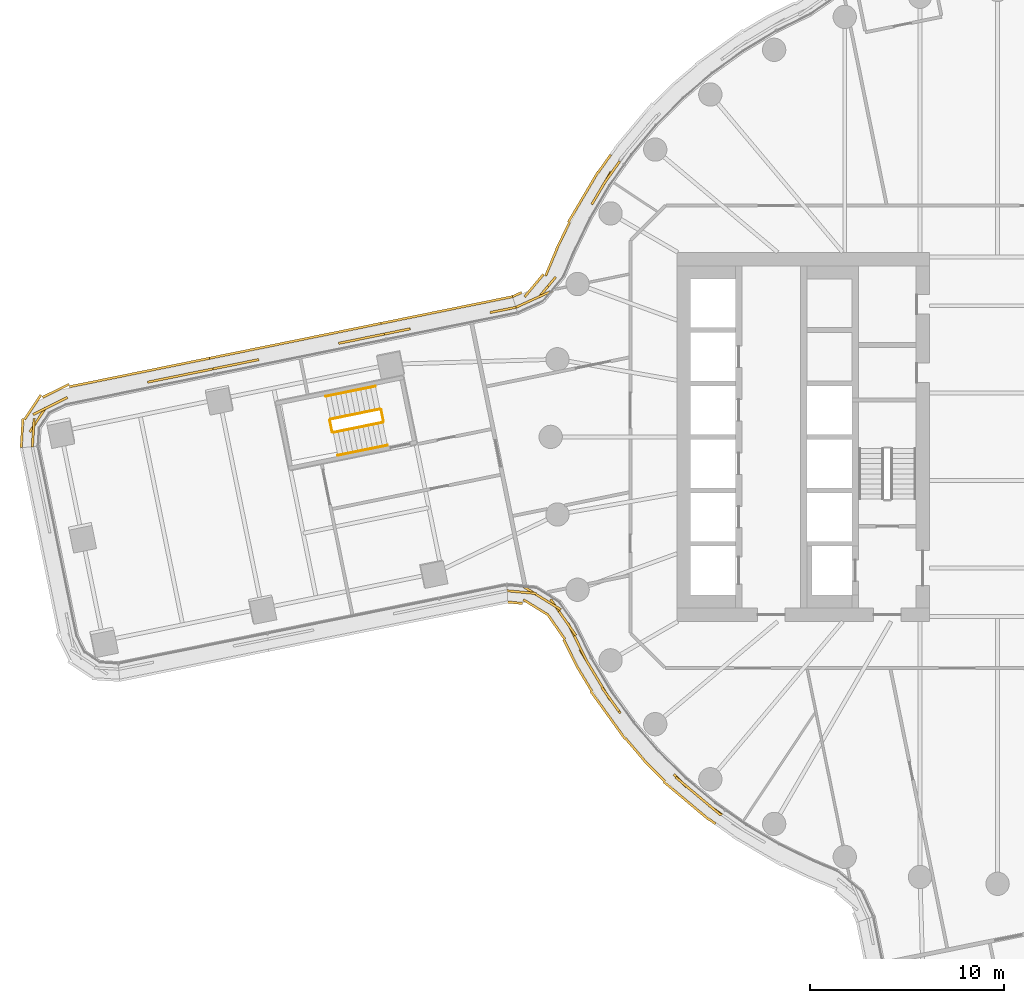
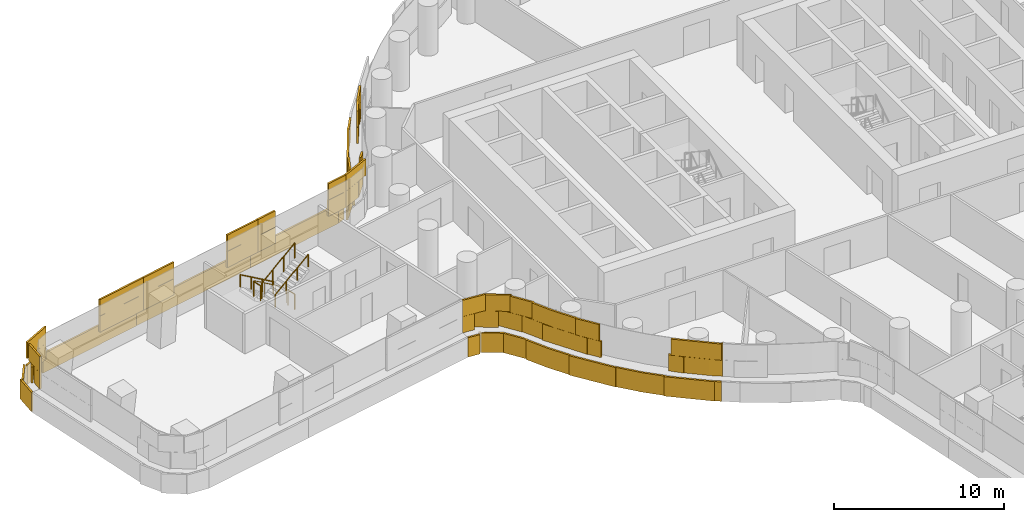
# One storey, part 26 of 31: 6 railings, 5 coverings.
"""IFC4 building model written with IfcOpenShell, lengths in metres."""

from ifc_helpers import new_model, si_unit, direction, frame, origin, origin_2d, place, context, subcontext, project, spatial, rectangle, circle, extrude, material, layer, layer_set, type_object, element, save


model = new_model("IFC4")

# Units and contexts
model_context = context("Model", 3, precision=1e-05, world=origin(), true_north=direction((0.0, 1.0)))
body_context = subcontext(model_context, "Body", "Model", "MODEL_VIEW")
ifc_project = project(units=[si_unit("LENGTHUNIT", "METRE"), si_unit("AREAUNIT", "SQUARE_METRE"), si_unit("VOLUMEUNIT", "CUBIC_METRE"), si_unit("PLANEANGLEUNIT", "RADIAN"), si_unit("MASSUNIT", "GRAM", prefix="KILO")], contexts=[model_context])

# Site, building, storey
site_placement = place(None, origin())
site = spatial("IfcSite", under=ifc_project, at=site_placement, CompositionType="ELEMENT")
building_placement = place(site_placement, origin())
building = spatial("IfcBuilding", under=site, at=building_placement, Name="Tamarind Cross Interchange Tower", CompositionType="ELEMENT")
storey_placement = place(building_placement, frame((0.0, 0.0, 75.25)))
storey = spatial("IfcBuildingStorey", under=building, at=storey_placement, Name="L17", CompositionType="ELEMENT", Elevation=75.25)

# Railings
ifc_material_1 = material(Name="Stair guard")
railing_type_1 = type_object("IfcRailingType", Name="Stair guard", PredefinedType="GUARDRAIL", material=ifc_material_1)
railing_1_placement = place(storey_placement, frame((-31.781005859375, 1.429931640625, 0.17041015625)))
element("IfcRailing", 1, at=railing_1_placement, inside=storey, type_object=railing_type_1, Name="L17 ST5 stair guard 1", PredefinedType="GUARDRAIL", context=body_context, shape_type="SweptSolid", body=[
    extrude(circle(Radius=0.02392578125, at=origin_2d()), frame((0.0, 0.0, 1.076171875), z_axis=(-0.819521697612, -0.166637125559, 0.548284830656), x_axis=(0.199257188689, -0.979947229577, 0.0)), (0.0, 0.0, 1.0), 3.10888671875),
    extrude(circle(Radius=0.02099609375, at=origin_2d()), origin(), (0.0, 0.0, 1.0), 1.052001953125),
    extrude(circle(Radius=0.02099609375, at=origin_2d()), frame((-0.849365234375, -0.172607421875, 0.568115234375)), (0.0, 0.0, 1.0), 1.052001953125),
    extrude(circle(Radius=0.02099609375, at=origin_2d()), frame((-1.698486328125, -0.345458984375, 1.136474609375)), (0.0, 0.0, 1.0), 1.052001953125),
    extrude(circle(Radius=0.02099609375, at=origin_2d()), frame((-2.5478515625, -0.51806640625, 1.70458984375)), (0.0, 0.0, 1.0), 1.052001953125),
])
railing_2_placement = place(storey_placement, frame((-34.367919921875, 0.852783203125, 1.875)))
element("IfcRailing", 2, at=railing_2_placement, inside=storey, type_object=railing_type_1, Name="L17 ST5 stair guard 2", PredefinedType="GUARDRAIL", context=body_context, shape_type="SweptSolid", body=[
    extrude(circle(Radius=0.02392578125, at=origin_2d()), frame((0.0, 0.0, 1.076171875), z_axis=(0.199401877541, -0.979917798202, 0.0), x_axis=(0.979917798202, 0.199401877541, 0.0)), (0.0, 0.0, 1.0), 0.599853515625),
    extrude(circle(Radius=0.02099609375, at=origin_2d()), origin(), (0.0, 0.0, 1.0), 1.052001953125),
    extrude(circle(Radius=0.02099609375, at=origin_2d()), frame((0.11962890625, -0.587890625, 0.0)), (0.0, 0.0, 1.0), 1.052001953125),
])
railing_3_placement = place(storey_placement, frame((-34.189453125, 0.225830078125, 2.04541015625)))
element("IfcRailing", 3, at=railing_3_placement, inside=storey, type_object=railing_type_1, Name="L17 ST5 stair guard 3", PredefinedType="GUARDRAIL", context=body_context, shape_type="SweptSolid", body=[
    extrude(circle(Radius=0.02392578125, at=origin_2d()), frame((0.0, 0.0, 1.076171875), z_axis=(0.819521697612, 0.166637125559, 0.548284830656), x_axis=(-0.199257188689, 0.979947229577, 0.0)), (0.0, 0.0, 1.0), 3.10888671875),
    extrude(circle(Radius=0.02099609375, at=origin_2d()), origin(), (0.0, 0.0, 1.0), 1.052001953125),
    extrude(circle(Radius=0.02099609375, at=origin_2d()), frame((0.849365234375, 0.172607421875, 0.568115234375)), (0.0, 0.0, 1.0), 1.052001953125),
    extrude(circle(Radius=0.02099609375, at=origin_2d()), frame((1.698486328125, 0.345458984375, 1.136474609375)), (0.0, 0.0, 1.0), 1.052001953125),
    extrude(circle(Radius=0.02099609375, at=origin_2d()), frame((2.5478515625, 0.51806640625, 1.70458984375)), (0.0, 0.0, 1.0), 1.052001953125),
])
railing_4_placement = place(storey_placement, frame((-31.721923828125, 1.390869140625, 0.0)))
element("IfcRailing", 4, at=railing_4_placement, inside=storey, type_object=railing_type_1, Name="L17 ST5 stair guard 4", PredefinedType="GUARDRAIL", context=body_context, shape_type="SweptSolid", body=[
    extrude(circle(Radius=0.02392578125, at=origin_2d()), frame((0.0, 0.0, 1.076171875), z_axis=(0.198931726306, -0.980013351067, 0.0), x_axis=(0.980013351067, 0.198931726306, 0.0)), (0.0, 0.0, 1.0), 0.60009765625),
    extrude(circle(Radius=0.02099609375, at=origin_2d()), origin(), (0.0, 0.0, 1.0), 1.052001953125),
    extrude(circle(Radius=0.02099609375, at=origin_2d()), frame((0.119384765625, -0.588134765625, 0.0)), (0.0, 0.0, 1.0), 1.052001953125),
])
ifc_material_2 = material(Name="Stair handrail")
railing_type_2 = type_object("IfcRailingType", Name="Stair handrail", PredefinedType="HANDRAIL", material=ifc_material_2)
railing_5_placement = place(storey_placement, frame((-32.02001953125, 2.605712890625, 0.17041015625)))
element("IfcRailing", 5, at=railing_5_placement, inside=storey, type_object=railing_type_2, Name="L17 ST5 stair handrail 1", PredefinedType="HANDRAIL", context=body_context, shape_type="SweptSolid", body=[
    extrude(circle(Radius=0.02392578125, at=origin_2d()), frame((0.0, 0.0, 0.8759765625), z_axis=(-0.819521697612, -0.166637125559, 0.548284830656), x_axis=(0.199257188689, -0.979947229577, 0.0)), (0.0, 0.0, 1.0), 3.10888671875),
    extrude(circle(Radius=0.02099609375, at=origin_2d()), origin(), (0.0, 0.0, 1.0), 0.851806640625),
    extrude(circle(Radius=0.02099609375, at=origin_2d()), frame((-0.849365234375, -0.172607421875, 0.568115234375)), (0.0, 0.0, 1.0), 0.851806640625),
    extrude(circle(Radius=0.02099609375, at=origin_2d()), frame((-1.698486328125, -0.345458984375, 1.136474609375)), (0.0, 0.0, 1.0), 0.851806640625),
    extrude(circle(Radius=0.02099609375, at=origin_2d()), frame((-2.5478515625, -0.51806640625, 1.70458984375)), (0.0, 0.0, 1.0), 0.851806640625),
])
railing_6_placement = place(storey_placement, frame((-33.9501953125, -0.9501953125, 2.04541015625)))
element("IfcRailing", 6, at=railing_6_placement, inside=storey, type_object=railing_type_2, Name="L17 ST5 stair handrail 2", PredefinedType="HANDRAIL", context=body_context, shape_type="SweptSolid", body=[
    extrude(circle(Radius=0.02392578125, at=origin_2d()), frame((0.0, 0.0, 0.8759765625), z_axis=(0.819521697612, 0.166637125559, 0.548284830656), x_axis=(-0.199257188689, 0.979947229577, 0.0)), (0.0, 0.0, 1.0), 3.10888671875),
    extrude(circle(Radius=0.02099609375, at=origin_2d()), origin(), (0.0, 0.0, 1.0), 0.851806640625),
    extrude(circle(Radius=0.02099609375, at=origin_2d()), frame((0.849365234375, 0.172607421875, 0.568115234375)), (0.0, 0.0, 1.0), 0.851806640625),
    extrude(circle(Radius=0.02099609375, at=origin_2d()), frame((1.698486328125, 0.345458984375, 1.136474609375)), (0.0, 0.0, 1.0), 0.851806640625),
    extrude(circle(Radius=0.02099609375, at=origin_2d()), frame((2.5478515625, 0.51806640625, 1.70458984375)), (0.0, 0.0, 1.0), 0.851806640625),
])

# Coverings
ifc_material_3 = material(Name="Terracotta", Category="masonry")
ifc_layer = layer(ifc_material_3, 0.1201171875)
ifc_layer_set = layer_set([ifc_layer], Name="Terracotta")
covering_type = type_object("IfcCoveringType", Name="Terracotta baguette screen unit", PredefinedType="MOLDING", material=ifc_layer_set)
covering_1_placement = place(storey_placement, origin())
element("IfcCovering", 7, at=covering_1_placement, inside=storey, type_object=covering_type, Name="SCR-L17-02-00", PredefinedType="MOLDING", context=body_context, shape_type="SweptSolid", body=[
    extrude(rectangle(XDim=0.760009765625, YDim=0.1201171875, at=origin_2d()), frame((-24.86474609375, -7.954833984375, 1.404052734375), z_axis=(0.0, 0.0, 1.0), x_axis=(0.995510302674, -0.094653247542, 0.0)), (0.0, 0.0, 1.0), 1.1669921875),
    extrude(rectangle(XDim=1.52001953125, YDim=0.1201171875, at=origin_2d()), frame((-23.75830078125, -8.1015625, 1.404052734375), z_axis=(0.0, 0.0, 1.0), x_axis=(0.850745711024, -0.525577525371, 0.0)), (0.0, 0.0, 1.0), 1.1669921875),
    extrude(rectangle(XDim=1.52001953125, YDim=0.1201171875, at=origin_2d()), frame((-22.567626953125, -8.980224609375, 1.404052734375), z_axis=(0.0, 0.0, 1.0), x_axis=(0.571495690015, -0.820605067188, 0.0)), (0.0, 0.0, 1.0), 1.1669921875),
    extrude(rectangle(XDim=1.52001953125, YDim=0.1201171875, at=origin_2d()), frame((-21.77783203125, -10.2509765625, 1.404052734375), z_axis=(0.0, 0.0, 1.0), x_axis=(0.443058811505, -0.896492548518, 0.0)), (0.0, 0.0, 1.0), 1.1669921875),
    extrude(rectangle(XDim=1.52001953125, YDim=0.1201171875, at=origin_2d()), frame((-21.10986328125, -11.59375, 1.404052734375), z_axis=(0.0, 0.0, 1.0), x_axis=(0.515577308909, -0.856843065292, 0.0)), (0.0, 0.0, 1.0), 1.1669921875),
    extrude(rectangle(XDim=1.52001953125, YDim=0.1201171875, at=origin_2d()), frame((-20.336669921875, -12.879150390625, 1.404052734375), z_axis=(0.0, 0.0, 1.0), x_axis=(0.515577308909, -0.856843065292, 0.0)), (0.0, 0.0, 1.0), 1.1669921875),
    extrude(rectangle(XDim=0.885498046875, YDim=0.1201171875, at=origin_2d()), frame((-19.6728515625, -13.863037109375, 1.404052734375), z_axis=(0.0, 0.0, 1.0), x_axis=(0.584573890505, -0.811340475102, 0.0)), (0.0, 0.0, 1.0), 1.1669921875),
    extrude(rectangle(XDim=0.934326171875, YDim=0.1201171875, at=origin_2d()), frame((-16.32861328125, -17.69970703125, 1.404052734375), z_axis=(0.0, 0.0, 1.0), x_axis=(0.710143317658, -0.704057148523, 0.0)), (0.0, 0.0, 1.0), 1.1669921875),
    extrude(rectangle(XDim=1.52001953125, YDim=0.1201171875, at=origin_2d()), frame((-15.4072265625, -18.487060546875, 1.404052734375), z_axis=(0.0, 0.0, 1.0), x_axis=(0.765858396687, -0.643009266048, 0.0)), (0.0, 0.0, 1.0), 1.1669921875),
    extrude(rectangle(XDim=0.822265625, YDim=0.1201171875, at=origin_2d()), frame((-14.50927734375, -19.214111328125, 1.404052734375), z_axis=(0.0, 0.0, 1.0), x_axis=(0.816341886298, -0.577568978284, 0.0)), (0.0, 0.0, 1.0), 1.1669921875),
    extrude(rectangle(XDim=1.510009765625, YDim=0.1201171875, at=origin_2d()), frame((-24.491455078125, -7.990234375, 2.5791015625), z_axis=(0.0, 0.0, 1.0), x_axis=(0.995510302674, -0.094653247542, 0.0)), (0.0, 0.0, 1.0), 1.1669921875),
    extrude(rectangle(XDim=1.52001953125, YDim=0.1201171875, at=origin_2d()), frame((-23.120361328125, -8.495849609375, 2.5791015625), z_axis=(0.0, 0.0, 1.0), x_axis=(0.850745711024, -0.525577525371, 0.0)), (0.0, 0.0, 1.0), 1.1669921875),
    extrude(rectangle(XDim=1.52001953125, YDim=0.1201171875, at=origin_2d()), frame((-22.138916015625, -9.595458984375, 2.5791015625), z_axis=(0.0, 0.0, 1.0), x_axis=(0.571495690015, -0.820605067188, 0.0)), (0.0, 0.0, 1.0), 1.1669921875),
    extrude(rectangle(XDim=1.52001953125, YDim=0.1201171875, at=origin_2d()), frame((-21.445556640625, -10.92333984375, 2.5791015625), z_axis=(0.0, 0.0, 1.0), x_axis=(0.443058811505, -0.896492548518, 0.0)), (0.0, 0.0, 1.0), 1.1669921875),
    extrude(rectangle(XDim=1.52001953125, YDim=0.1201171875, at=origin_2d()), frame((-20.723388671875, -12.236572265625, 2.5791015625), z_axis=(0.0, 0.0, 1.0), x_axis=(0.515577308909, -0.856843065292, 0.0)), (0.0, 0.0, 1.0), 1.1669921875),
    extrude(rectangle(XDim=1.52001953125, YDim=0.1201171875, at=origin_2d()), frame((-19.928955078125, -13.5078125, 2.5791015625), z_axis=(0.0, 0.0, 1.0), x_axis=(0.584573890505, -0.811340475102, 0.0)), (0.0, 0.0, 1.0), 1.1669921875),
    extrude(rectangle(XDim=1.52001953125, YDim=0.1201171875, at=origin_2d()), frame((-15.981689453125, -18.004638671875, 2.5791015625), z_axis=(0.0, 0.0, 1.0), x_axis=(0.765858396687, -0.643009266048, 0.0)), (0.0, 0.0, 1.0), 1.1669921875),
    extrude(rectangle(XDim=1.52001953125, YDim=0.1201171875, at=origin_2d()), frame((-14.8330078125, -18.96923828125, 2.5791015625), z_axis=(0.0, 0.0, 1.0), x_axis=(0.765858396687, -0.643009266048, 0.0)), (0.0, 0.0, 1.0), 1.1669921875),
    extrude(rectangle(XDim=0.072265625, YDim=0.1201171875, at=origin_2d()), frame((-14.203125, -19.4306640625, 2.5791015625), z_axis=(0.0, 0.0, 1.0), x_axis=(0.816341886298, -0.577568978284, 0.0)), (0.0, 0.0, 1.0), 1.1669921875),
    extrude(rectangle(XDim=0.760009765625, YDim=0.1201171875, at=origin_2d()), frame((-24.829345703125, -8.534912109375, 0.00390625), z_axis=(0.0, 0.0, 1.0), x_axis=(0.995510302674, -0.094653247542, 0.0)), (0.0, 0.0, 1.0), 1.39208984375),
    extrude(rectangle(XDim=1.52001953125, YDim=0.1201171875, at=origin_2d()), frame((-23.759765625, -8.775390625, 0.00390625), z_axis=(0.0, 0.0, 1.0), x_axis=(0.850745711024, -0.525577525371, 0.0)), (0.0, 0.0, 1.0), 1.39208984375),
    extrude(rectangle(XDim=1.52001953125, YDim=0.1201171875, at=origin_2d()), frame((-22.70068359375, -9.793212890625, 0.00390625), z_axis=(0.0, 0.0, 1.0), x_axis=(0.571495690015, -0.820605067188, 0.0)), (0.0, 0.0, 1.0), 1.39208984375),
    extrude(rectangle(XDim=1.52001953125, YDim=0.1201171875, at=origin_2d()), frame((-21.992431640625, -11.112060546875, 0.00390625), z_axis=(0.0, 0.0, 1.0), x_axis=(0.443058811505, -0.896492548518, 0.0)), (0.0, 0.0, 1.0), 1.39208984375),
    extrude(rectangle(XDim=1.52001953125, YDim=0.1201171875, at=origin_2d()), frame((-21.27734375, -12.42919921875, 0.00390625), z_axis=(0.0, 0.0, 1.0), x_axis=(0.515577308909, -0.856843065292, 0.0)), (0.0, 0.0, 1.0), 1.39208984375),
    extrude(rectangle(XDim=1.52001953125, YDim=0.1201171875, at=origin_2d()), frame((-20.49267578125, -13.70703125, 0.00390625), z_axis=(0.0, 0.0, 1.0), x_axis=(0.584573890505, -0.811340475102, 0.0)), (0.0, 0.0, 1.0), 1.39208984375),
    extrude(rectangle(XDim=1.52001953125, YDim=0.1201171875, at=origin_2d()), frame((-19.615966796875, -14.924072265625, 0.00390625), z_axis=(0.0, 0.0, 1.0), x_axis=(0.584573890505, -0.811340475102, 0.0)), (0.0, 0.0, 1.0), 1.39208984375),
    extrude(rectangle(XDim=1.52001953125, YDim=0.1201171875, at=origin_2d()), frame((-18.666015625, -16.083984375, 0.00390625), z_axis=(0.0, 0.0, 1.0), x_axis=(0.64957723968, -0.760295606781, 0.0)), (0.0, 0.0, 1.0), 1.39208984375),
    extrude(rectangle(XDim=1.52001953125, YDim=0.1201171875, at=origin_2d()), frame((-17.65625, -17.19140625, 0.00390625), z_axis=(0.0, 0.0, 1.0), x_axis=(0.710143317658, -0.704057148523, 0.0)), (0.0, 0.0, 1.0), 1.39208984375),
    extrude(rectangle(XDim=1.52001953125, YDim=0.1201171875, at=origin_2d()), frame((-16.588623046875, -18.24462890625, 0.00390625), z_axis=(0.0, 0.0, 1.0), x_axis=(0.765858396687, -0.643009266048, 0.0)), (0.0, 0.0, 1.0), 1.39208984375),
    extrude(rectangle(XDim=1.52001953125, YDim=0.1201171875, at=origin_2d()), frame((-15.439697265625, -19.209228515625, 0.00390625), z_axis=(0.0, 0.0, 1.0), x_axis=(0.765858396687, -0.643009266048, 0.0)), (0.0, 0.0, 1.0), 1.39208984375),
    extrude(rectangle(XDim=0.422119140625, YDim=0.1201171875, at=origin_2d()), frame((-14.688232421875, -19.790771484375, 0.00390625), z_axis=(0.0, 0.0, 1.0), x_axis=(0.816341886298, -0.577568978284, 0.0)), (0.0, 0.0, 1.0), 1.39208984375),
])
covering_2_placement = place(storey_placement, origin())
element("IfcCovering", 8, at=covering_2_placement, inside=storey, type_object=covering_type, Name="SCR-L17-14-01", PredefinedType="MOLDING", context=body_context, shape_type="SweptSolid", body=[
    extrude(rectangle(XDim=0.69775390625, YDim=0.1201171875, at=origin_2d()), frame((-19.647216796875, 13.897216796875, 1.404052734375), z_axis=(0.0, 0.0, 1.0), x_axis=(-0.577568978284, -0.816341886298, 0.0)), (0.0, 0.0, 1.0), 1.1669921875),
    extrude(rectangle(XDim=1.52001953125, YDim=0.1201171875, at=origin_2d()), frame((-20.27197265625, 12.99951171875, 1.404052734375), z_axis=(0.0, 0.0, 1.0), x_axis=(-0.508183308752, -0.861248933065, 0.0)), (0.0, 0.0, 1.0), 1.1669921875),
    extrude(rectangle(XDim=0.454345703125, YDim=0.1201171875, at=origin_2d()), frame((-20.76611328125, 12.162353515625, 1.404052734375), z_axis=(0.0, 0.0, 1.0), x_axis=(-0.508183308752, -0.861248933065, 0.0)), (0.0, 0.0, 1.0), 1.1669921875),
    extrude(rectangle(XDim=1.36572265625, YDim=0.1201171875, at=origin_2d()), frame((-23.178955078125, 7.70068359375, 1.404052734375), z_axis=(0.0, 0.0, 1.0), x_axis=(-0.642347784844, -0.766413284923, 0.0)), (0.0, 0.0, 1.0), 1.1669921875),
    extrude(rectangle(XDim=1.286376953125, YDim=0.1201171875, at=origin_2d()), frame((-24.20751953125, 6.9326171875, 1.404052734375), z_axis=(0.0, 0.0, 1.0), x_axis=(-0.910081962098, -0.414428307748, 0.0)), (0.0, 0.0, 1.0), 1.1669921875),
    extrude(rectangle(XDim=1.44775390625, YDim=0.1201171875, at=origin_2d()), frame((-19.864013671875, 13.591064453125, 2.5791015625), z_axis=(0.0, 0.0, 1.0), x_axis=(-0.577568978284, -0.816341886298, 0.0)), (0.0, 0.0, 1.0), 1.1669921875),
    extrude(rectangle(XDim=1.204345703125, YDim=0.1201171875, at=origin_2d()), frame((-20.575439453125, 12.4853515625, 2.5791015625), z_axis=(0.0, 0.0, 1.0), x_axis=(-0.508183308752, -0.861248933065, 0.0)), (0.0, 0.0, 1.0), 1.1669921875),
    extrude(rectangle(XDim=0.61572265625, YDim=0.1201171875, at=origin_2d()), frame((-22.938232421875, 7.988037109375, 2.5791015625), z_axis=(0.0, 0.0, 1.0), x_axis=(-0.642347784844, -0.766413284923, 0.0)), (0.0, 0.0, 1.0), 1.1669921875),
    extrude(rectangle(XDim=1.52001953125, YDim=0.1201171875, at=origin_2d()), frame((-23.626708984375, 7.197021484375, 2.5791015625), z_axis=(0.0, 0.0, 1.0), x_axis=(-0.910081962098, -0.414428307748, 0.0)), (0.0, 0.0, 1.0), 1.1669921875),
    extrude(rectangle(XDim=0.536376953125, YDim=0.1201171875, at=origin_2d()), frame((-24.548583984375, 6.77734375, 2.5791015625), z_axis=(0.0, 0.0, 1.0), x_axis=(-0.910081962098, -0.414428307748, 0.0)), (0.0, 0.0, 1.0), 1.1669921875),
    extrude(rectangle(XDim=1.097900390625, YDim=0.1201171875, at=origin_2d()), frame((-20.229736328125, 14.06787109375, 0.00390625), z_axis=(0.0, 0.0, 1.0), x_axis=(-0.577568978284, -0.816341886298, 0.0)), (0.0, 0.0, 1.0), 1.39208984375),
    extrude(rectangle(XDim=1.52001953125, YDim=0.1201171875, at=origin_2d()), frame((-20.941650390625, 12.994384765625, 0.00390625), z_axis=(0.0, 0.0, 1.0), x_axis=(-0.508183308752, -0.861248933065, 0.0)), (0.0, 0.0, 1.0), 1.39208984375),
    extrude(rectangle(XDim=1.52001953125, YDim=0.1201171875, at=origin_2d()), frame((-21.703857421875, 11.70263671875, 0.00390625), z_axis=(0.0, 0.0, 1.0), x_axis=(-0.508183308752, -0.861248933065, 0.0)), (0.0, 0.0, 1.0), 1.39208984375),
    extrude(rectangle(XDim=1.52001953125, YDim=0.1201171875, at=origin_2d()), frame((-22.36181640625, 10.354736328125, 0.00390625), z_axis=(0.0, 0.0, 1.0), x_axis=(-0.435326231914, -0.900272776334, 0.0)), (0.0, 0.0, 1.0), 1.39208984375),
    extrude(rectangle(XDim=1.52001953125, YDim=0.1201171875, at=origin_2d()), frame((-22.969970703125, 8.984375, 0.00390625), z_axis=(0.0, 0.0, 1.0), x_axis=(-0.385694065961, -0.922626732478, 0.0)), (0.0, 0.0, 1.0), 1.39208984375),
    extrude(rectangle(XDim=1.52001953125, YDim=0.1201171875, at=origin_2d()), frame((-23.85546875, 7.787109375, 0.00390625), z_axis=(0.0, 0.0, 1.0), x_axis=(-0.642347784844, -0.766413284923, 0.0)), (0.0, 0.0, 1.0), 1.39208984375),
    extrude(rectangle(XDim=0.520263671875, YDim=0.1201171875, at=origin_2d()), frame((-24.729736328125, 7.325439453125, 0.00390625), z_axis=(0.0, 0.0, 1.0), x_axis=(-0.910081962098, -0.414428307748, 0.0)), (0.0, 0.0, 1.0), 1.39208984375),
])
covering_3_placement = place(storey_placement, origin())
element("IfcCovering", 9, at=covering_3_placement, inside=storey, type_object=covering_type, Name="SCR-L17-15-00", PredefinedType="MOLDING", context=body_context, shape_type="SweptSolid", body=[
    extrude(rectangle(XDim=0.760009765625, YDim=0.1201171875, at=origin_2d()), frame((-25.15576171875, 6.593505859375, 1.404052734375), z_axis=(0.0, 0.0, 1.0), x_axis=(-0.979949750197, -0.199244791873, 0.0)), (0.0, 0.0, 1.0), 1.1669921875),
    extrude(rectangle(XDim=0.613525390625, YDim=0.1201171875, at=origin_2d()), frame((-25.81884765625, 6.45849609375, 1.404052734375), z_axis=(0.0, 0.0, 1.0), x_axis=(-0.979949750197, -0.199244791873, 0.0)), (0.0, 0.0, 1.0), 1.1669921875),
    extrude(rectangle(XDim=1.20654296875, YDim=0.1201171875, at=origin_2d()), frame((-30.816650390625, 5.4423828125, 1.404052734375), z_axis=(0.0, 0.0, 1.0), x_axis=(-0.979949750197, -0.199244791873, 0.0)), (0.0, 0.0, 1.0), 1.1669921875),
    extrude(rectangle(XDim=0.1669921875, YDim=0.1201171875, at=origin_2d()), frame((-31.479736328125, 5.3076171875, 1.404052734375), z_axis=(0.0, 0.0, 1.0), x_axis=(-0.979949750197, -0.199244791873, 0.0)), (0.0, 0.0, 1.0), 1.1669921875),
    extrude(rectangle(XDim=1.353515625, YDim=0.1201171875, at=origin_2d()), frame((-25.451416015625, 6.533447265625, 2.5791015625), z_axis=(0.0, 0.0, 1.0), x_axis=(-0.979949750197, -0.199244791873, 0.0)), (0.0, 0.0, 1.0), 1.1669921875),
    extrude(rectangle(XDim=0.45654296875, YDim=0.1201171875, at=origin_2d()), frame((-30.44921875, 5.51708984375, 2.5791015625), z_axis=(0.0, 0.0, 1.0), x_axis=(-0.979949750197, -0.199244791873, 0.0)), (0.0, 0.0, 1.0), 1.1669921875),
    extrude(rectangle(XDim=0.9169921875, YDim=0.1201171875, at=origin_2d()), frame((-31.1123046875, 5.38232421875, 2.5791015625), z_axis=(0.0, 0.0, 1.0), x_axis=(-0.979949750197, -0.199244791873, 0.0)), (0.0, 0.0, 1.0), 1.1669921875),
    extrude(rectangle(XDim=0.760009765625, YDim=0.1201171875, at=origin_2d()), frame((-25.3388671875, 7.141845703125, 0.00390625), z_axis=(0.0, 0.0, 1.0), x_axis=(-0.979949750197, -0.199244791873, 0.0)), (0.0, 0.0, 1.0), 1.39208984375),
    extrude(rectangle(XDim=1.52001953125, YDim=0.1201171875, at=origin_2d()), frame((-26.4365234375, 6.918701171875, 0.00390625), z_axis=(0.0, 0.0, 1.0), x_axis=(-0.979949750197, -0.199244791873, 0.0)), (0.0, 0.0, 1.0), 1.39208984375),
    extrude(rectangle(XDim=1.52001953125, YDim=0.1201171875, at=origin_2d()), frame((-27.906494140625, 6.619873046875, 0.00390625), z_axis=(0.0, 0.0, 1.0), x_axis=(-0.979949750197, -0.199244791873, 0.0)), (0.0, 0.0, 1.0), 1.39208984375),
    extrude(rectangle(XDim=1.52001953125, YDim=0.1201171875, at=origin_2d()), frame((-29.37646484375, 6.321044921875, 0.00390625), z_axis=(0.0, 0.0, 1.0), x_axis=(-0.979949750197, -0.199244791873, 0.0)), (0.0, 0.0, 1.0), 1.39208984375),
    extrude(rectangle(XDim=1.52001953125, YDim=0.1201171875, at=origin_2d()), frame((-30.84619140625, 6.022216796875, 0.00390625), z_axis=(0.0, 0.0, 1.0), x_axis=(-0.979949750197, -0.199244791873, 0.0)), (0.0, 0.0, 1.0), 1.39208984375),
    extrude(rectangle(XDim=0.169921875, YDim=0.1201171875, at=origin_2d()), frame((-31.65478515625, 5.85791015625, 0.00390625), z_axis=(0.0, 0.0, 1.0), x_axis=(-0.979949750197, -0.199244791873, 0.0)), (0.0, 0.0, 1.0), 1.39208984375),
])
covering_4_placement = place(storey_placement, origin())
element("IfcCovering", 10, at=covering_4_placement, inside=storey, type_object=covering_type, Name="SCR-L17-15-01", PredefinedType="MOLDING", context=body_context, shape_type="SweptSolid", body=[
    extrude(rectangle(XDim=1.35302734375, YDim=0.1201171875, at=origin_2d()), frame((-32.21484375, 5.158203125, 1.404052734375), z_axis=(0.0, 0.0, 1.0), x_axis=(-0.979949750197, -0.199244791873, 0.0)), (0.0, 0.0, 1.0), 1.1669921875),
    extrude(rectangle(XDim=1.0673828125, YDim=0.1201171875, at=origin_2d()), frame((-33.390869140625, 4.9189453125, 1.404052734375), z_axis=(0.0, 0.0, 1.0), x_axis=(-0.979949750197, -0.199244791873, 0.0)), (0.0, 0.0, 1.0), 1.1669921875),
    extrude(rectangle(XDim=0.752685546875, YDim=0.1201171875, at=origin_2d()), frame((-38.388671875, 3.90283203125, 1.404052734375), z_axis=(0.0, 0.0, 1.0), x_axis=(-0.979949750197, -0.199244791873, 0.0)), (0.0, 0.0, 1.0), 1.1669921875),
    extrude(rectangle(XDim=1.52001953125, YDim=0.1201171875, at=origin_2d()), frame((-39.4873046875, 3.679443359375, 1.404052734375), z_axis=(0.0, 0.0, 1.0), x_axis=(-0.979949750197, -0.199244791873, 0.0)), (0.0, 0.0, 1.0), 1.1669921875),
    extrude(rectangle(XDim=0.16748046875, YDim=0.1201171875, at=origin_2d()), frame((-40.299560546875, 3.514404296875, 1.404052734375), z_axis=(0.0, 0.0, 1.0), x_axis=(-0.979949750197, -0.199244791873, 0.0)), (0.0, 0.0, 1.0), 1.1669921875),
    extrude(rectangle(XDim=0.60302734375, YDim=0.1201171875, at=origin_2d()), frame((-31.84716796875, 5.23291015625, 2.5791015625), z_axis=(0.0, 0.0, 1.0), x_axis=(-0.979949750197, -0.199244791873, 0.0)), (0.0, 0.0, 1.0), 1.1669921875),
    extrude(rectangle(XDim=1.52001953125, YDim=0.1201171875, at=origin_2d()), frame((-32.872802734375, 5.0244140625, 2.5791015625), z_axis=(0.0, 0.0, 1.0), x_axis=(-0.979949750197, -0.199244791873, 0.0)), (0.0, 0.0, 1.0), 1.1669921875),
    extrude(rectangle(XDim=0.3173828125, YDim=0.1201171875, at=origin_2d()), frame((-33.75830078125, 4.84423828125, 2.5791015625), z_axis=(0.0, 0.0, 1.0), x_axis=(-0.979949750197, -0.199244791873, 0.0)), (0.0, 0.0, 1.0), 1.1669921875),
    extrude(rectangle(XDim=1.502685546875, YDim=0.1201171875, at=origin_2d()), frame((-38.756103515625, 3.828125, 2.5791015625), z_axis=(0.0, 0.0, 1.0), x_axis=(-0.979949750197, -0.199244791873, 0.0)), (0.0, 0.0, 1.0), 1.1669921875),
    extrude(rectangle(XDim=0.91748046875, YDim=0.1201171875, at=origin_2d()), frame((-39.93212890625, 3.589111328125, 2.5791015625), z_axis=(0.0, 0.0, 1.0), x_axis=(-0.979949750197, -0.199244791873, 0.0)), (0.0, 0.0, 1.0), 1.1669921875),
    extrude(rectangle(XDim=1.349853515625, YDim=0.1201171875, at=origin_2d()), frame((-32.3994140625, 5.706298828125, 0.00390625), z_axis=(0.0, 0.0, 1.0), x_axis=(-0.979949750197, -0.199244791873, 0.0)), (0.0, 0.0, 1.0), 1.39208984375),
    extrude(rectangle(XDim=1.52001953125, YDim=0.1201171875, at=origin_2d()), frame((-33.7861328125, 5.42431640625, 0.00390625), z_axis=(0.0, 0.0, 1.0), x_axis=(-0.979949750197, -0.199244791873, 0.0)), (0.0, 0.0, 1.0), 1.39208984375),
    extrude(rectangle(XDim=1.52001953125, YDim=0.1201171875, at=origin_2d()), frame((-35.256103515625, 5.12548828125, 0.00390625), z_axis=(0.0, 0.0, 1.0), x_axis=(-0.979949750197, -0.199244791873, 0.0)), (0.0, 0.0, 1.0), 1.39208984375),
    extrude(rectangle(XDim=1.52001953125, YDim=0.1201171875, at=origin_2d()), frame((-36.72607421875, 4.82666015625, 0.00390625), z_axis=(0.0, 0.0, 1.0), x_axis=(-0.979949750197, -0.199244791873, 0.0)), (0.0, 0.0, 1.0), 1.39208984375),
    extrude(rectangle(XDim=1.52001953125, YDim=0.1201171875, at=origin_2d()), frame((-38.19580078125, 4.52783203125, 0.00390625), z_axis=(0.0, 0.0, 1.0), x_axis=(-0.979949750197, -0.199244791873, 0.0)), (0.0, 0.0, 1.0), 1.39208984375),
    extrude(rectangle(XDim=1.52001953125, YDim=0.1201171875, at=origin_2d()), frame((-39.665771484375, 4.22900390625, 0.00390625), z_axis=(0.0, 0.0, 1.0), x_axis=(-0.979949750197, -0.199244791873, 0.0)), (0.0, 0.0, 1.0), 1.39208984375),
    extrude(rectangle(XDim=0.17431640625, YDim=0.1201171875, at=origin_2d()), frame((-40.4765625, 4.064208984375, 0.00390625), z_axis=(0.0, 0.0, 1.0), x_axis=(-0.979949750197, -0.199244791873, 0.0)), (0.0, 0.0, 1.0), 1.39208984375),
])
covering_5_placement = place(storey_placement, origin())
element("IfcCovering", 11, at=covering_5_placement, inside=storey, type_object=covering_type, Name="SCR-L17-15-02", PredefinedType="MOLDING", context=body_context, shape_type="SweptSolid", body=[
    extrude(rectangle(XDim=1.3525390625, YDim=0.1201171875, at=origin_2d()), frame((-41.03466796875, 3.364990234375, 1.404052734375), z_axis=(0.0, 0.0, 1.0), x_axis=(-0.979949750197, -0.199244791873, 0.0)), (0.0, 0.0, 1.0), 1.1669921875),
    extrude(rectangle(XDim=1.52001953125, YDim=0.1201171875, at=origin_2d()), frame((-42.42724609375, 3.081787109375, 1.404052734375), z_axis=(0.0, 0.0, 1.0), x_axis=(-0.979949750197, -0.199244791873, 0.0)), (0.0, 0.0, 1.0), 1.1669921875),
    extrude(rectangle(XDim=0.594970703125, YDim=0.1201171875, at=origin_2d()), frame((-43.44873046875, 2.8740234375, 1.404052734375), z_axis=(0.0, 0.0, 1.0), x_axis=(-0.979949750197, -0.199244791873, 0.0)), (0.0, 0.0, 1.0), 1.1669921875),
    extrude(rectangle(XDim=1.22509765625, YDim=0.1201171875, at=origin_2d()), frame((-48.412109375, 1.757568359375, 1.404052734375), z_axis=(0.0, 0.0, 1.0), x_axis=(-0.894990425407, -0.446085348818, 0.0)), (0.0, 0.0, 1.0), 1.1669921875),
    extrude(rectangle(XDim=1.52001953125, YDim=0.1201171875, at=origin_2d()), frame((-49.3896484375, 0.883544921875, 1.404052734375), z_axis=(0.0, 0.0, 1.0), x_axis=(-0.552041770137, -0.833816457036, 0.0)), (0.0, 0.0, 1.0), 1.1669921875),
    extrude(rectangle(XDim=0.72216796875, YDim=0.1201171875, at=origin_2d()), frame((-49.649169921875, -0.15625, 1.404052734375), z_axis=(0.0, 0.0, 1.0), x_axis=(-0.061173968371, -0.998127118955, 0.0)), (0.0, 0.0, 1.0), 1.1669921875),
    extrude(rectangle(XDim=0.6025390625, YDim=0.1201171875, at=origin_2d()), frame((-40.6669921875, 3.439697265625, 2.5791015625), z_axis=(0.0, 0.0, 1.0), x_axis=(-0.979949750197, -0.199244791873, 0.0)), (0.0, 0.0, 1.0), 1.1669921875),
    extrude(rectangle(XDim=1.52001953125, YDim=0.1201171875, at=origin_2d()), frame((-41.6923828125, 3.231201171875, 2.5791015625), z_axis=(0.0, 0.0, 1.0), x_axis=(-0.979949750197, -0.199244791873, 0.0)), (0.0, 0.0, 1.0), 1.1669921875),
    extrude(rectangle(XDim=1.344970703125, YDim=0.1201171875, at=origin_2d()), frame((-43.081298828125, 2.94873046875, 2.5791015625), z_axis=(0.0, 0.0, 1.0), x_axis=(-0.979949750197, -0.199244791873, 0.0)), (0.0, 0.0, 1.0), 1.1669921875),
    extrude(rectangle(XDim=0.47509765625, YDim=0.1201171875, at=origin_2d()), frame((-48.076416015625, 1.9248046875, 2.5791015625), z_axis=(0.0, 0.0, 1.0), x_axis=(-0.894990425407, -0.446085348818, 0.0)), (0.0, 0.0, 1.0), 1.1669921875),
    extrude(rectangle(XDim=1.52001953125, YDim=0.1201171875, at=origin_2d()), frame((-48.955810546875, 1.486572265625, 2.5791015625), z_axis=(0.0, 0.0, 1.0), x_axis=(-0.894990425407, -0.446085348818, 0.0)), (0.0, 0.0, 1.0), 1.1669921875),
    extrude(rectangle(XDim=1.47216796875, YDim=0.1201171875, at=origin_2d()), frame((-49.626220703125, 0.218017578125, 2.5791015625), z_axis=(0.0, 0.0, 1.0), x_axis=(-0.061173968371, -0.998127118955, 0.0)), (0.0, 0.0, 1.0), 1.1669921875),
    extrude(rectangle(XDim=1.345458984375, YDim=0.1201171875, at=origin_2d()), frame((-41.22119140625, 3.912841796875, 0.00390625), z_axis=(0.0, 0.0, 1.0), x_axis=(-0.979949750197, -0.199244791873, 0.0)), (0.0, 0.0, 1.0), 1.39208984375),
    extrude(rectangle(XDim=1.52001953125, YDim=0.1201171875, at=origin_2d()), frame((-42.605712890625, 3.63134765625, 0.00390625), z_axis=(0.0, 0.0, 1.0), x_axis=(-0.979949750197, -0.199244791873, 0.0)), (0.0, 0.0, 1.0), 1.39208984375),
    extrude(rectangle(XDim=1.52001953125, YDim=0.1201171875, at=origin_2d()), frame((-44.07568359375, 3.332275390625, 0.00390625), z_axis=(0.0, 0.0, 1.0), x_axis=(-0.979949750197, -0.199244791873, 0.0)), (0.0, 0.0, 1.0), 1.39208984375),
    extrude(rectangle(XDim=1.52001953125, YDim=0.1201171875, at=origin_2d()), frame((-45.54541015625, 3.033447265625, 0.00390625), z_axis=(0.0, 0.0, 1.0), x_axis=(-0.979949750197, -0.199244791873, 0.0)), (0.0, 0.0, 1.0), 1.39208984375),
    extrude(rectangle(XDim=1.52001953125, YDim=0.1201171875, at=origin_2d()), frame((-47.015380859375, 2.734619140625, 0.00390625), z_axis=(0.0, 0.0, 1.0), x_axis=(-0.979949750197, -0.199244791873, 0.0)), (0.0, 0.0, 1.0), 1.39208984375),
    extrude(rectangle(XDim=1.52001953125, YDim=0.1201171875, at=origin_2d()), frame((-48.4638671875, 2.373291015625, 0.00390625), z_axis=(0.0, 0.0, 1.0), x_axis=(-0.894990425407, -0.446085348818, 0.0)), (0.0, 0.0, 1.0), 1.39208984375),
    extrude(rectangle(XDim=1.52001953125, YDim=0.1201171875, at=origin_2d()), frame((-49.65087890625, 1.5283203125, 0.00390625), z_axis=(0.0, 0.0, 1.0), x_axis=(-0.552041770137, -0.833816457036, 0.0)), (0.0, 0.0, 1.0), 1.39208984375),
    extrude(rectangle(XDim=1.498779296875, YDim=0.1201171875, at=origin_2d()), frame((-50.20263671875, 0.196044921875, 0.00390625), z_axis=(0.0, 0.0, 1.0), x_axis=(-0.061173968371, -0.998127118955, 0.0)), (0.0, 0.0, 1.0), 1.39208984375),
])

save(model, "model.ifc")
